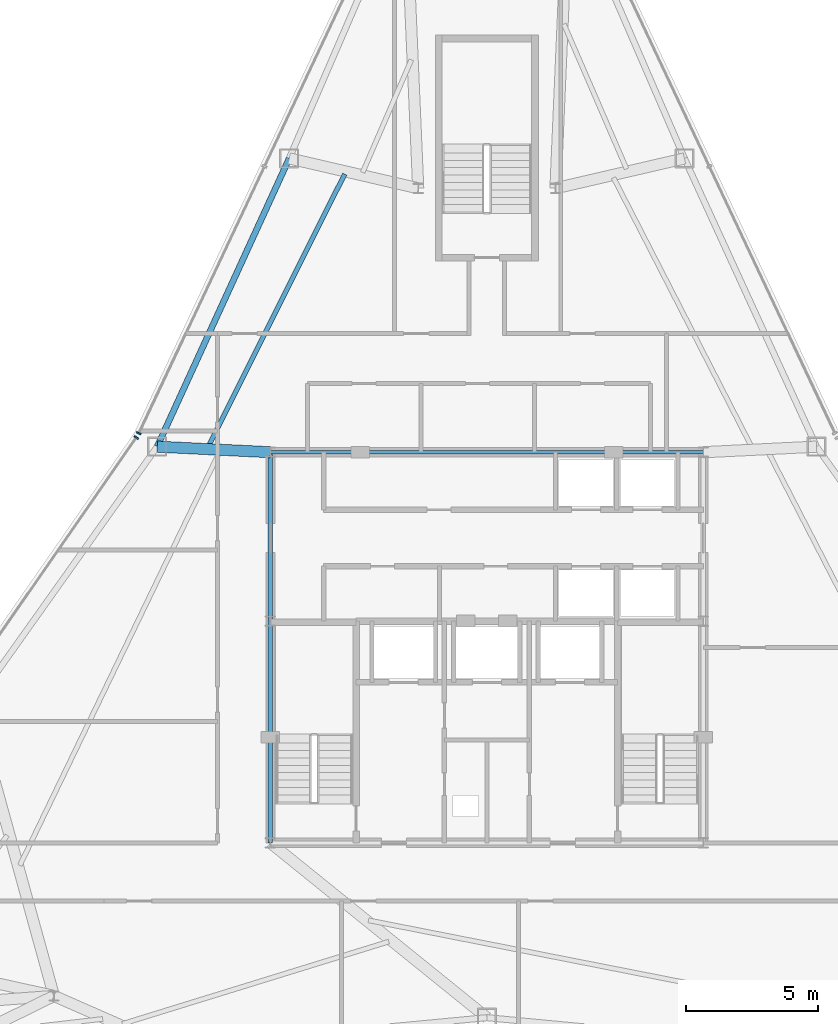
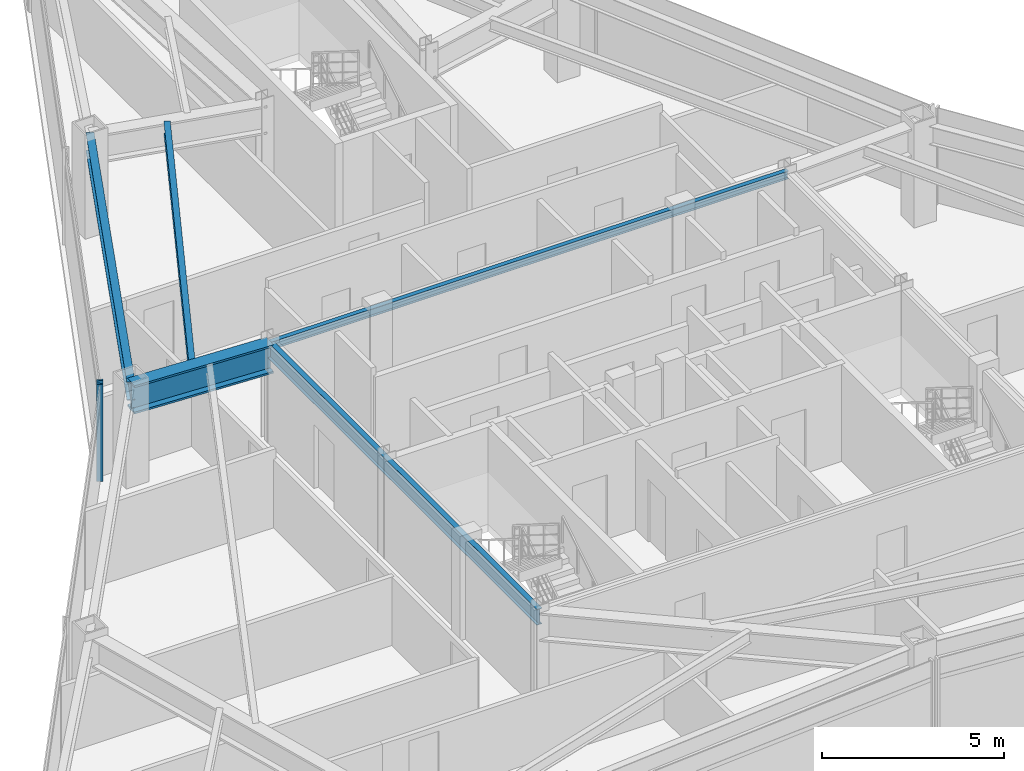
# One storey, part 5 of 12: 5 beams, 2 members, 2 elements without a shape of their own.
"""IFC4 building model written with IfcOpenShell, lengths in metres."""

import ifcopenshell
import ifcopenshell.guid

model = None  # the IFC model being written
_history = None  # IfcOwnerHistory: only IFC2X3 demands one
_inside = {}  # id of a spatial element -> (the spatial element, [elements in it])
_under = {}  # id of a project, library or spatial element -> (it, [spatial elements below it])
_declared = {}  # id of a project -> (the project, [libraries it declares])
_typed = {}  # id of a type object -> (the type object, [elements of that type])
_made_of = {}  # id of a material, layer set ... -> (it, [elements and type objects made of it])


def new_model(schema):
    """Start an empty IFC model of exactly this schema.

    Asked for "IFC4X3", IfcOpenShell would pick the latest addendum, in which some entities
    have other attributes; the version numbers below select the first issue.
    IFC2X3 requires an IfcOwnerHistory on every rooted entity: one is made here for all.
    """
    global model, _history
    if schema == "IFC4X3":
        model = ifcopenshell.file(schema_version=(4, 3, 0, 0))
    else:
        model = ifcopenshell.file(schema=schema)
    _inside.clear()
    _under.clear()
    _declared.clear()
    _typed.clear()
    _made_of.clear()
    _history = None
    if model.schema == "IFC2X3":
        org = make("IfcOrganization", Name="unknown")
        user = make(
            "IfcPersonAndOrganization",
            ThePerson=make("IfcPerson", FamilyName="unknown"),
            TheOrganization=org,
        )
        app = make(
            "IfcApplication",
            ApplicationDeveloper=org,
            Version="unknown",
            ApplicationFullName="unknown",
            ApplicationIdentifier="unknown",
        )
        _history = make(
            "IfcOwnerHistory",
            OwningUser=user,
            OwningApplication=app,
            ChangeAction="ADDED",
            CreationDate=0,
        )
    return model


def make(cls, **values):
    """One entity of the class cls with the attributes given. An attribute that is None is left unset."""
    return model.create_entity(
        cls, **{name: value for name, value in values.items() if value is not None}
    )


def rooted(cls, **values):
    """An entity with a GlobalId (a new one), such as an element, a storey or a relation."""
    return make(cls, GlobalId=ifcopenshell.guid.new(), OwnerHistory=_history, **values)


def si_unit(unit_type, name, prefix=None):
    """IfcSIUnit, for example si_unit("LENGTHUNIT", "METRE", prefix="MILLI")."""
    return make("IfcSIUnit", UnitType=unit_type, Prefix=prefix, Name=name)


def assignment(units):
    """IfcUnitAssignment: the units of a project."""
    return None if units is None else make("IfcUnitAssignment", Units=units)


def point(xyz):
    """IfcCartesianPoint."""
    return None if xyz is None else make("IfcCartesianPoint", Coordinates=xyz)


def direction(xyz):
    """IfcDirection."""
    return None if xyz is None else make("IfcDirection", DirectionRatios=xyz)


def frame(location, z_axis=None, x_axis=None):
    """IfcAxis2Placement3D, a coordinate frame: its origin and axes. An axis left out is left unset."""
    return make(
        "IfcAxis2Placement3D",
        Location=point(location),
        Axis=direction(z_axis),
        RefDirection=direction(x_axis),
    )


def frame_2d(location, x_axis=None):
    """IfcAxis2Placement2D, a coordinate frame in the plane: its origin and x axis."""
    return make(
        "IfcAxis2Placement2D", Location=point(location), RefDirection=direction(x_axis)
    )


def origin():
    """The frame at (0, 0, 0) with its axes left unset."""
    return frame((0.0, 0.0, 0.0))


def origin_2d():
    """The frame at (0, 0) in the plane with its x axis left unset."""
    return frame_2d((0.0, 0.0))


def place(relative_to, where):
    """IfcLocalPlacement: puts the frame where relative to a parent placement (None: the world)."""
    return make(
        "IfcLocalPlacement", PlacementRelTo=relative_to, RelativePlacement=where
    )


def context(
    kind, dimensions, precision=None, world=None, true_north=None, identifier=None
):
    """IfcGeometricRepresentationContext, for example the 3D "Model" context."""
    return make(
        "IfcGeometricRepresentationContext",
        ContextIdentifier=identifier,
        ContextType=kind,
        CoordinateSpaceDimension=dimensions,
        Precision=precision,
        WorldCoordinateSystem=world,
        TrueNorth=true_north,
    )


def subcontext(parent, identifier, kind, view, scale=None):
    """IfcGeometricRepresentationSubContext, for example "Body" below "Model"."""
    return make(
        "IfcGeometricRepresentationSubContext",
        ContextIdentifier=identifier,
        ContextType=kind,
        ParentContext=parent,
        TargetScale=scale,
        TargetView=view,
    )


def project(units=None, contexts=None):
    """IfcProject with its units and contexts."""
    return rooted(
        "IfcProject",
        Name="project",
        RepresentationContexts=contexts,
        UnitsInContext=assignment(units),
    )


def spatial(cls, under=None, at=None, **own):
    """A site, building, storey or space (cls), placed at a placement, below another one or the project."""
    s = rooted(cls, ObjectPlacement=at, **own)
    if under is not None:
        _under.setdefault(under.id(), (under, []))[1].append(s)
    return s


def profile(cls, at=None, kind="AREA", **sizes):
    """A parametric profile (cls). Its sizes go by their IFC names, for example OverallWidth=200.0."""
    return make(cls, ProfileType=kind, Position=at, **sizes)


def rectangle(**sizes):
    """IfcRectangleProfileDef."""
    return profile("IfcRectangleProfileDef", **sizes)


def i_section(**sizes):
    """IfcIShapeProfileDef."""
    return profile("IfcIShapeProfileDef", **sizes)


def extrude(swept, where, along, depth):
    """IfcExtrudedAreaSolid: the profile swept, set in the frame where, extruded along a direction by depth."""
    return make(
        "IfcExtrudedAreaSolid",
        SweptArea=swept,
        Position=where,
        ExtrudedDirection=direction(along),
        Depth=depth,
    )


def shape(context_of_items, identifier, shape_type, items):
    """IfcShapeRepresentation: the items that make up one representation, for example the "Body"."""
    return make(
        "IfcShapeRepresentation",
        ContextOfItems=context_of_items,
        RepresentationIdentifier=identifier,
        RepresentationType=shape_type,
        Items=items,
    )


def source(mapping_origin, context_of_items, identifier, shape_type, items):
    """IfcRepresentationMap: a shape defined once, which mapped items show again and again."""
    return make(
        "IfcRepresentationMap",
        MappingOrigin=mapping_origin,
        MappedRepresentation=shape(context_of_items, identifier, shape_type, items),
    )


def transform(
    local_origin,
    x_axis=None,
    y_axis=None,
    z_axis=None,
    scale=None,
    scale2=None,
    scale3=None,
    uniform=True,
):
    """IfcCartesianTransformationOperator3D, or its non-uniform kind. x_axis, y_axis, z_axis: its Axis1, 2, 3."""
    if uniform:
        return make(
            "IfcCartesianTransformationOperator3D",
            Axis1=direction(x_axis),
            Axis2=direction(y_axis),
            LocalOrigin=point(local_origin),
            Scale=scale,
            Axis3=direction(z_axis),
        )
    return make(
        "IfcCartesianTransformationOperator3DnonUniform",
        Axis1=direction(x_axis),
        Axis2=direction(y_axis),
        LocalOrigin=point(local_origin),
        Scale=scale,
        Axis3=direction(z_axis),
        Scale2=scale2,
        Scale3=scale3,
    )


def mapped(mapping_source, mapping_target):
    """IfcMappedItem: shows the shape of a source again, moved by a transform."""
    return make(
        "IfcMappedItem", MappingSource=mapping_source, MappingTarget=mapping_target
    )


def material(Name=None, Category=None):
    """IfcMaterial."""
    return make("IfcMaterial", Name=Name, Category=Category)


def layer(
    of_material, thickness, ventilated=None, Name=None, Category=None, Priority=None
):
    """IfcMaterialLayer: one layer of a wall or slab, of a material (None: an air gap)."""
    return make(
        "IfcMaterialLayer",
        Material=of_material,
        LayerThickness=thickness,
        IsVentilated=ventilated,
        Name=Name,
        Category=Category,
        Priority=Priority,
    )


def layer_set(layers, Name=None):
    """IfcMaterialLayerSet."""
    return make("IfcMaterialLayerSet", MaterialLayers=layers, LayerSetName=Name)


def material_profile(
    of_material, cross_section, Name=None, Category=None, Priority=None
):
    """IfcMaterialProfile: a cross section and its material."""
    return make(
        "IfcMaterialProfile",
        Name=Name,
        Material=of_material,
        Profile=cross_section,
        Priority=Priority,
        Category=Category,
    )


def profile_set(profiles, Name=None, composite=None):
    """IfcMaterialProfileSet."""
    return make(
        "IfcMaterialProfileSet",
        Name=Name,
        MaterialProfiles=profiles,
        CompositeProfile=composite,
    )


def made_of(thing, what):
    """Note that an element or type object is made of a material, layer set ...; save() writes the relation."""
    if what is not None:
        _made_of.setdefault(what.id(), (what, []))[1].append(thing)
    return thing


def type_object(cls, material=None, **own):
    """A type object (cls), such as IfcWallType, which elements share."""
    return made_of(rooted(cls, **own), material)


def type_shapes(of_type, sources):
    """Give a type object the sources (RepresentationMaps) that its elements show as mapped items."""
    of_type.RepresentationMaps = sources


def element(
    cls,
    number,
    at=None,
    inside=None,
    cuts=None,
    type_object=None,
    material=None,
    context=None,
    identifier="Body",
    shape_type=None,
    held_by="IfcProductDefinitionShape",
    body=None,
    shapes=None,
    **own,
):
    """One element of the class cls, such as IfcWall. Its Tag is "e" and its number.

    at: its placement. inside: the storey or other place that contains it. cuts: it is an
    opening in that element (IfcRelVoidsElement). A single representation is given by context,
    identifier, shape_type and body (its items); several are given by shapes. held_by: the class
    of the entity that holds the representations. save() writes the other relations.
    """
    e = rooted(cls, Tag="e%d" % number, ObjectPlacement=at, **own)
    if body is not None:
        shapes = [shape(context, identifier, shape_type, body)]
    if shapes is not None:
        e.Representation = make(held_by, Representations=shapes)
    if inside is not None:
        _inside.setdefault(inside.id(), (inside, []))[1].append(e)
    if cuts is not None:
        rooted(
            "IfcRelVoidsElement", RelatingBuildingElement=cuts, RelatedOpeningElement=e
        )
    if type_object is not None:
        _typed.setdefault(type_object.id(), (type_object, []))[1].append(e)
    return made_of(e, material)


def aggregate(whole, parts):
    """IfcRelAggregates: a whole, such as a stair, and the parts it consists of."""
    return rooted("IfcRelAggregates", RelatingObject=whole, RelatedObjects=parts)


def save(model, path):
    """Write the relations noted so far, then the file.

    IfcRelAggregates (storeys below a building ...), IfcRelContainedInSpatialStructure (elements
    in a storey), IfcRelDefinesByType, IfcRelAssociatesMaterial and IfcRelDeclares: one each for
    every whole, place, type object, material and project.
    """
    for whole, parts in _under.values():
        aggregate(whole, parts)
    for where, things in _inside.values():
        rooted(
            "IfcRelContainedInSpatialStructure",
            RelatedElements=things,
            RelatingStructure=where,
        )
    for kind, things in _typed.values():
        rooted("IfcRelDefinesByType", RelatedObjects=things, RelatingType=kind)
    for what, things in _made_of.values():
        rooted("IfcRelAssociatesMaterial", RelatedObjects=things, RelatingMaterial=what)
    for by, libraries in _declared.values():
        rooted("IfcRelDeclares", RelatingContext=by, RelatedDefinitions=libraries)
    model.write(path)


model = new_model("IFC4")

# Units and contexts
model_context = context("Model", 3, precision=1e-05, world=origin(), true_north=direction((0.0, 1.0)))
body_context = subcontext(model_context, "Body", "Model", "MODEL_VIEW")
ifc_project = project(units=[si_unit("LENGTHUNIT", "METRE"), si_unit("AREAUNIT", "SQUARE_METRE"), si_unit("VOLUMEUNIT", "CUBIC_METRE"), si_unit("PLANEANGLEUNIT", "RADIAN"), si_unit("MASSUNIT", "GRAM", prefix="KILO")], contexts=[model_context])

# Site, building, storey
site_placement = place(None, origin())
site = spatial("IfcSite", under=ifc_project, at=site_placement, CompositionType="ELEMENT")
building_placement = place(site_placement, origin())
building = spatial("IfcBuilding", under=site, at=building_placement, Name="Varakhsha Concourse Tower", CompositionType="ELEMENT")
storey_placement = place(building_placement, frame((0.0, 0.0, 229.39990234375)))
storey = spatial("IfcBuildingStorey", under=building, at=storey_placement, Name="L65", CompositionType="ELEMENT", Elevation=229.39990234375)

# Beams
ifc_material_1 = material(Name="Structural Steel ASTM A992 Grade 50", Category="steel")
ifc_material_profile_1 = material_profile(ifc_material_1, i_section(OverallWidth=0.177978515625, OverallDepth=0.406982421875, WebThickness=0.008056640625, FlangeThickness=0.012939453125, at=origin_2d()), Name="W16X40")
ifc_profile_set_1 = profile_set([ifc_material_profile_1], Name="Structural Steel ASTM A992 Grade 50")
beam_type_1 = type_object("IfcBeamType", Name="BM-JST-W16X40", PredefinedType="JOIST", material=ifc_profile_set_1)
beam_1_placement = place(storey_placement, frame((34.614013671875, 41.735595703125, 3.046630859375), z_axis=(-0.447729709123, -0.894168948001, 0.0), x_axis=(0.894168948001, -0.447729709123, 0.0)))
element("IfcBeam", 1, at=beam_1_placement, inside=storey, type_object=beam_type_1, Name="BM-TJST-L65-04", PredefinedType="JOIST", context=body_context, shape_type="SweptSolid", body=[
    extrude(i_section(OverallWidth=0.177978515625, OverallDepth=0.406982421875, WebThickness=0.008056640625, FlangeThickness=0.012939453125, at=origin_2d()), origin(), (0.0, 0.0, 1.0), 11.54052734375),
])
ifc_material_profile_2 = material_profile(ifc_material_1, i_section(OverallWidth=0.14697265625, OverallDepth=0.261962890625, WebThickness=0.007080078125, FlangeThickness=0.010986328125, at=origin_2d()), Name="W10X26")
ifc_profile_set_2 = profile_set([ifc_material_profile_2], Name="Structural Steel ASTM A992 Grade 50")
beam_type_2 = type_object("IfcBeamType", Name="BM-LNTL-W10X26", PredefinedType="LINTEL", material=ifc_profile_set_2)
beam_2_placement = place(storey_placement, frame((31.800048828125, 31.199951171875, 3.119140625), z_axis=(1.0, 0.0, 0.0), x_axis=(0.0, 1.0, 0.0)))
element("IfcBeam", 2, at=beam_2_placement, inside=storey, type_object=beam_type_2, Name="BM-TCORE-L65-CN", PredefinedType="LINTEL", context=body_context, shape_type="SweptSolid", body=[
    extrude(i_section(OverallWidth=0.14697265625, OverallDepth=0.261962890625, WebThickness=0.007080078125, FlangeThickness=0.010986328125, at=origin_2d()), origin(), (0.0, 0.0, 1.0), 16.39990234375),
])
ifc_material_profile_3 = material_profile(ifc_material_1, i_section(OverallWidth=0.423095703125, OverallDepth=0.947998046875, WebThickness=0.0380859375, FlangeThickness=0.06396484375, at=origin_2d()), Name="W36X302")
ifc_profile_set_3 = profile_set([ifc_material_profile_3], Name="Structural Steel ASTM A992 Grade 50")
beam_type_3 = type_object("IfcBeamType", Name="BM-OUTR-W36X302", PredefinedType="USERDEFINED", material=ifc_profile_set_3)
beam_3_placement = place(storey_placement, frame((31.800048828125, 31.199951171875, 2.776123046875), z_axis=(-0.998790595953, 0.049166507256, 0.0), x_axis=(-0.049166507256, -0.998790595953, 0.0)))
element("IfcBeam", 3, at=beam_3_placement, inside=storey, type_object=beam_type_3, Name="L65 Radial Floor Girder 05", ObjectType="GIRDER", PredefinedType="USERDEFINED", context=body_context, shape_type="SweptSolid", body=[
    extrude(i_section(OverallWidth=0.423095703125, OverallDepth=0.947998046875, WebThickness=0.0380859375, FlangeThickness=0.06396484375, at=origin_2d()), origin(), (0.0, 0.0, 1.0), 4.295166015625),
])
ifc_material_profile_4 = material_profile(ifc_material_1, i_section(OverallWidth=0.1669921875, OverallDepth=0.534912109375, WebThickness=0.010009765625, FlangeThickness=0.01708984375, at=origin_2d()), Name="W21X57")
ifc_profile_set_4 = profile_set([ifc_material_profile_4], Name="Structural Steel ASTM A992 Grade 50")
beam_type_4 = type_object("IfcBeamType", Name="BM-RAD-W21X57", PredefinedType="BEAM", material=ifc_profile_set_4)
beam_4_placement = place(storey_placement, frame((31.800048828125, 16.39990234375, 2.982666015625), z_axis=(0.0, 1.0, 0.0), x_axis=(-1.0, 0.0, 0.0)))
element("IfcBeam", 4, at=beam_4_placement, inside=storey, type_object=beam_type_4, Name="BM-TCORE-L65-CW", PredefinedType="BEAM", context=body_context, shape_type="SweptSolid", body=[
    extrude(i_section(OverallWidth=0.1669921875, OverallDepth=0.534912109375, WebThickness=0.010009765625, FlangeThickness=0.01708984375, at=origin_2d()), origin(), (0.0, 0.0, 1.0), 14.800048828125),
])
ifc_material_profile_5 = material_profile(ifc_material_1, i_section(OverallWidth=0.22900390625, OverallDepth=0.612060546875, WebThickness=0.011962890625, FlangeThickness=0.02001953125, at=origin_2d()), Name="W24X84")
ifc_profile_set_5 = profile_set([ifc_material_profile_5], Name="Structural Steel ASTM A992 Grade 50")
beam_type_5 = type_object("IfcBeamType", Name="BM-SPAN-W24X84", PredefinedType="SPANDREL", material=ifc_profile_set_5)
beam_5_placement = place(storey_placement, frame((32.512939453125, 42.332275390625, 2.944091796875), z_axis=(-0.416476249185, -0.909146596466, 0.0), x_axis=(0.909146596466, -0.416476249185, 0.0)))
element("IfcBeam", 5, at=beam_5_placement, inside=storey, type_object=beam_type_5, Name="BM-SPAN-L65-04", PredefinedType="SPANDREL", context=body_context, shape_type="SweptSolid", body=[
    extrude(i_section(OverallWidth=0.22900390625, OverallDepth=0.612060546875, WebThickness=0.011962890625, FlangeThickness=0.02001953125, at=origin_2d()), origin(), (0.0, 0.0, 1.0), 12.012451171875),
])

# Curtain wall, member
ifc_material_2 = material(Name="Anodised Bronze Architectural Aluminium AA 6063-T6", Category="aluminium")
ifc_layer = layer(ifc_material_2, 0.199951171875, Name="CW-SYS-05")
ifc_layer_set = layer_set([ifc_layer], Name="Anodised Bronze Architectural Aluminium AA 6063-T6")
curtain_wall_type = type_object("IfcCurtainWallType", Name="CW-SYS-05", PredefinedType="NOTDEFINED", material=ifc_layer_set)
curtain_wall_1_placement = place(storey_placement, origin())
curtain_wall_1 = element("IfcCurtainWall", 6, at=curtain_wall_1_placement, inside=storey, type_object=curtain_wall_type, Name="L65 Crystal Curtain Wall F2", PredefinedType="NOTDEFINED")
ifc_material_profile_6 = material_profile(ifc_material_2, rectangle(XDim=0.06494140625, YDim=0.179931640625, at=origin_2d()), Name="CWM-180X65")
ifc_profile_set_6 = profile_set([ifc_material_profile_6], Name="Anodised Bronze Architectural Aluminium AA 6063-T6")
member_type = type_object("IfcMemberType", Name="CWM-180X65", PredefinedType="MULLION", material=ifc_profile_set_6)
shared_shape = source(origin(), body_context, "Body", "SweptSolid", [
    extrude(rectangle(XDim=0.06494140625, YDim=0.179931640625, at=origin_2d()), origin(), (0.0, 0.0, 1.0), 3.25),
])
type_shapes(member_type, [shared_shape])
member_1_placement = place(storey_placement, frame((26.8125, 31.92138671875, 0.0), z_axis=(0.0, 0.0, 1.0), x_axis=(0.426172477405, 0.904641928888, 0.0)))
member_1 = element("IfcMember", 7, at=member_1_placement, type_object=member_type, Name="CW-L65-F2 Mullion 00", PredefinedType="MULLION", context=body_context, shape_type="MappedRepresentation", body=[
    mapped(shared_shape, transform((0.0, 0.0, 0.0), scale=1.0)),
])
aggregate(curtain_wall_1, [member_1])

curtain_wall_2_placement = place(storey_placement, origin())
curtain_wall_2 = element("IfcCurtainWall", 8, at=curtain_wall_2_placement, inside=storey, type_object=curtain_wall_type, Name="L65 Crystal Curtain Wall F3", PredefinedType="NOTDEFINED")
member_2_placement = place(storey_placement, frame((26.719482421875, 31.760009765625, 0.0), z_axis=(0.0, 0.0, 1.0), x_axis=(0.570360953861, 0.821394169879, 0.0)))
member_2 = element("IfcMember", 9, at=member_2_placement, type_object=member_type, Name="CW-L65-F3 Mullion 02", PredefinedType="MULLION", context=body_context, shape_type="MappedRepresentation", body=[
    mapped(shared_shape, transform((0.0, 0.0, 0.0), scale=1.0)),
])
aggregate(curtain_wall_2, [member_2])

save(model, "model.ifc")
